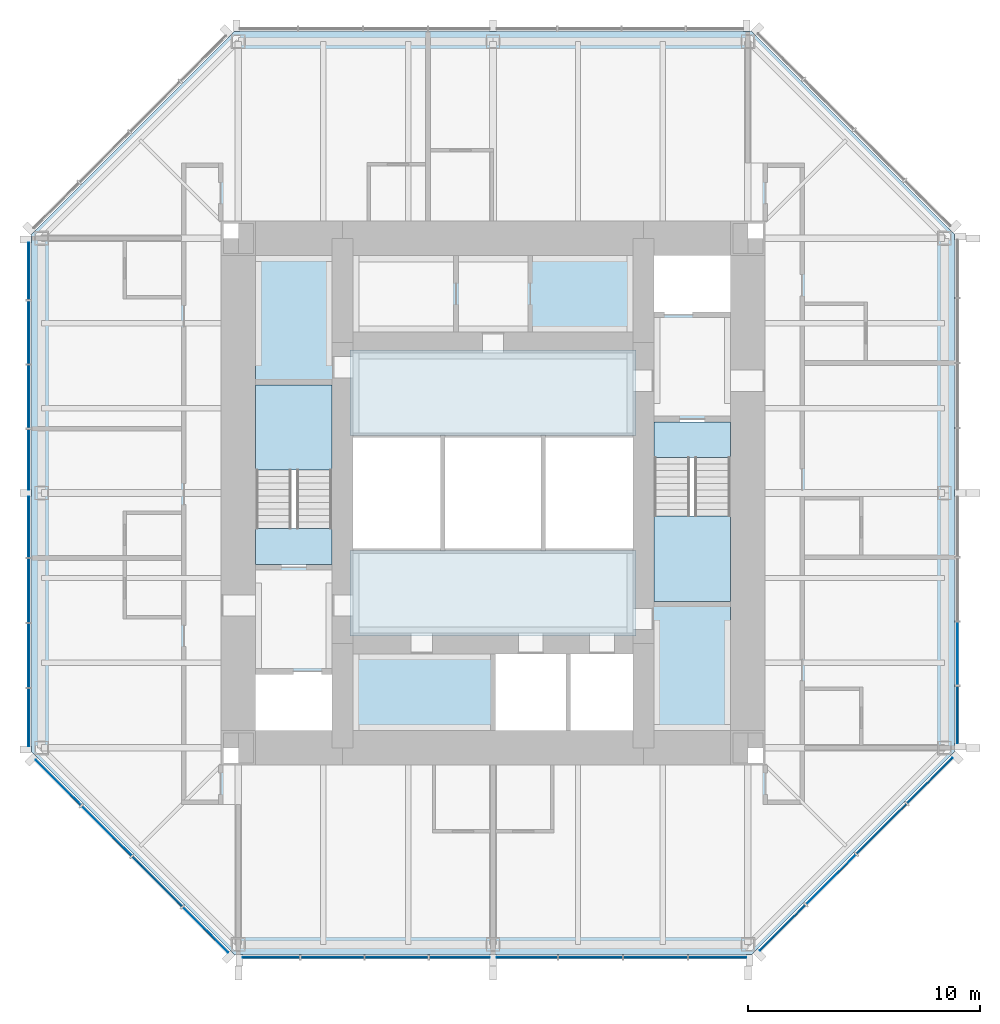
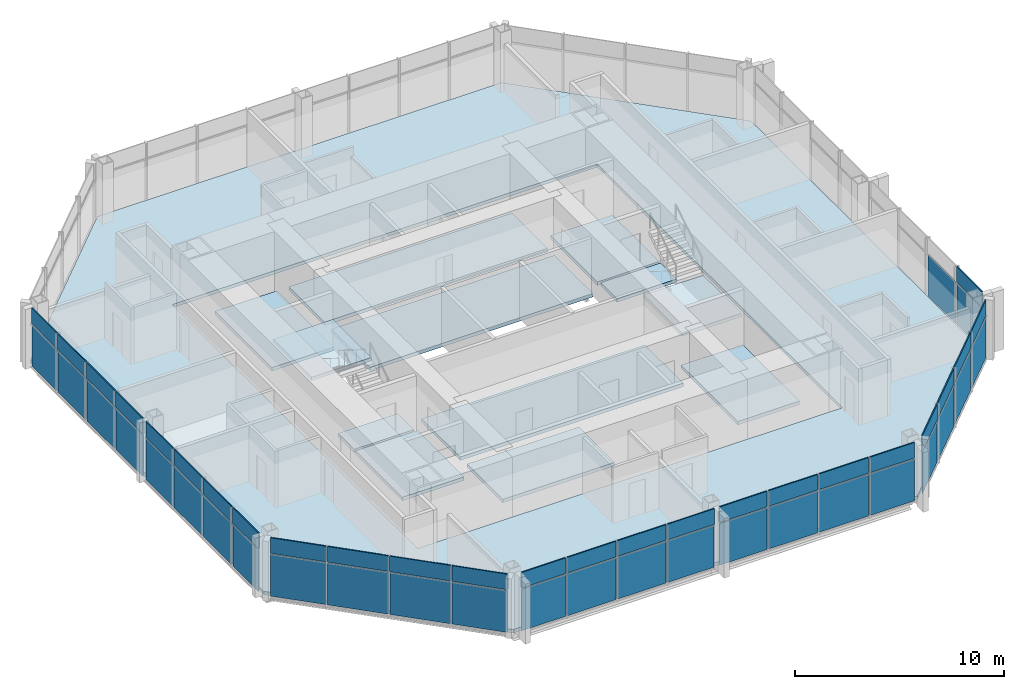
# One storey, part 6 of 11: 51 plates, 13 slabs, 7 elements without a shape of their own.
"""IFC4 building model written with IfcOpenShell, lengths in metres."""

from ifc_helpers import new_model, si_unit, direction, frame, origin, origin_2d, place, context, subcontext, project, spatial, polyline, rectangle, outline, extrude, material, layer, layer_set, type_object, element, aggregate, save


model = new_model("IFC4")

# Units and contexts
model_context = context("Model", 3, precision=1e-05, world=origin(), true_north=direction((0.0, 1.0)))
body_context = subcontext(model_context, "Body", "Model", "MODEL_VIEW")
ifc_project = project(units=[si_unit("LENGTHUNIT", "METRE"), si_unit("AREAUNIT", "SQUARE_METRE"), si_unit("VOLUMEUNIT", "CUBIC_METRE"), si_unit("PLANEANGLEUNIT", "RADIAN"), si_unit("MASSUNIT", "GRAM", prefix="KILO")], contexts=[model_context])

# Site, building, storey
site_placement = place(None, origin())
site = spatial("IfcSite", under=ifc_project, at=site_placement, CompositionType="ELEMENT")
building_placement = place(site_placement, origin())
building = spatial("IfcBuilding", under=site, at=building_placement, Name="Trevanion Tower", CompositionType="ELEMENT")
storey_placement = place(building_placement, frame((0.0, 0.0, 239.699951171875)))
storey = spatial("IfcBuildingStorey", under=building, at=storey_placement, Name="L58", CompositionType="ELEMENT", Elevation=239.699951171875)

# Curtain wall, plate
ifc_material_1 = material(Name="Aluminium and glass", Category="aluminium")
curtain_wall_type = type_object("IfcCurtainWallType", Name="CW3 curtain wall", PredefinedType="USERDEFINED", material=ifc_material_1)
curtain_wall_1_placement = place(storey_placement, origin())
curtain_wall_1 = element("IfcCurtainWall", 1, at=curtain_wall_1_placement, inside=storey, type_object=curtain_wall_type, Name="CW3 L58 0", ObjectType="UNITISED CURTAIN WALL", PredefinedType="USERDEFINED")
ifc_material_2 = material(Name="Aluminium spandrel panel", Category="aluminium")
ifc_layer_1 = layer(ifc_material_2, 0.06005859375)
ifc_layer_set_1 = layer_set([ifc_layer_1], Name="CW3 spandrel panel")
plate_type_1 = type_object("IfcPlateType", Name="CW3 spandrel panel", PredefinedType="CURTAIN_PANEL", material=ifc_layer_set_1)
plate_1_placement = place(storey_placement, frame((20.050048828125, -9.579345703125, 2.3974609375), z_axis=(0.0, 0.0, 1.0), x_axis=(0.0, 1.0, 0.0)))
plate_1 = element("IfcPlate", 2, at=plate_1_placement, type_object=plate_type_1, Name="CW3 panel 1.2", PredefinedType="CURTAIN_PANEL", context=body_context, shape_type="SweptSolid", body=[
    extrude(rectangle(XDim=2.43701171875, YDim=0.06005859375, at=origin_2d()), origin(), (0.0, 0.0, 1.0), 0.91259765625),
])

# Curtain wall, plates
curtain_wall_2_placement = place(storey_placement, origin())
curtain_wall_2 = element("IfcCurtainWall", 3, at=curtain_wall_2_placement, inside=storey, type_object=curtain_wall_type, Name="CW3 L58 4", ObjectType="UNITISED CURTAIN WALL", PredefinedType="USERDEFINED")
plate_2_placement = place(storey_placement, frame((-20.050048828125, 9.579345703125, 2.3974609375), z_axis=(0.0, 0.0, 1.0), x_axis=(0.0, -1.0, 0.0)))
plate_2 = element("IfcPlate", 4, at=plate_2_placement, type_object=plate_type_1, Name="CW3 panel 1.2", PredefinedType="CURTAIN_PANEL", context=body_context, shape_type="SweptSolid", body=[
    extrude(rectangle(XDim=2.43701171875, YDim=0.06005859375, at=origin_2d()), origin(), (0.0, 0.0, 1.0), 0.91259765625),
])
plate_3_placement = place(storey_placement, frame((-20.050048828125, 6.93603515625, 2.3974609375), z_axis=(0.0, 0.0, 1.0), x_axis=(0.0, -1.0, 0.0)))
plate_3 = element("IfcPlate", 5, at=plate_3_placement, type_object=plate_type_1, Name="CW3 panel 2.2", PredefinedType="CURTAIN_PANEL", context=body_context, shape_type="SweptSolid", body=[
    extrude(rectangle(XDim=2.699462890625, YDim=0.06005859375, at=origin_2d()), origin(), (0.0, 0.0, 1.0), 0.91259765625),
])
plate_4_placement = place(storey_placement, frame((-20.050048828125, 4.16162109375, 2.3974609375), z_axis=(0.0, 0.0, 1.0), x_axis=(0.0, -1.0, 0.0)))
plate_4 = element("IfcPlate", 6, at=plate_4_placement, type_object=plate_type_1, Name="CW3 panel 3.2", PredefinedType="CURTAIN_PANEL", context=body_context, shape_type="SweptSolid", body=[
    extrude(rectangle(XDim=2.699462890625, YDim=0.06005859375, at=origin_2d()), origin(), (0.0, 0.0, 1.0), 0.91259765625),
])
plate_5_placement = place(storey_placement, frame((-20.050048828125, 1.443603515625, 2.3974609375), z_axis=(0.0, 0.0, 1.0), x_axis=(0.0, -1.0, 0.0)))
plate_5 = element("IfcPlate", 7, at=plate_5_placement, type_object=plate_type_1, Name="CW3 panel 4.2", PredefinedType="CURTAIN_PANEL", context=body_context, shape_type="SweptSolid", body=[
    extrude(rectangle(XDim=2.5869140625, YDim=0.06005859375, at=origin_2d()), origin(), (0.0, 0.0, 1.0), 0.91259765625),
])
plate_6_placement = place(storey_placement, frame((-20.050048828125, -1.459716796875, 2.3974609375), z_axis=(0.0, 0.0, 1.0), x_axis=(0.0, -1.0, 0.0)))
plate_6 = element("IfcPlate", 8, at=plate_6_placement, type_object=plate_type_1, Name="CW3 panel 5.2", PredefinedType="CURTAIN_PANEL", context=body_context, shape_type="SweptSolid", body=[
    extrude(rectangle(XDim=2.619384765625, YDim=0.06005859375, at=origin_2d()), origin(), (0.0, 0.0, 1.0), 0.91259765625),
])
plate_7_placement = place(storey_placement, frame((-20.050048828125, -4.21044921875, 2.3974609375), z_axis=(0.0, 0.0, 1.0), x_axis=(0.0, -1.0, 0.0)))
plate_7 = element("IfcPlate", 9, at=plate_7_placement, type_object=plate_type_1, Name="CW3 panel 6.2", PredefinedType="CURTAIN_PANEL", context=body_context, shape_type="SweptSolid", body=[
    extrude(rectangle(XDim=2.73193359375, YDim=0.06005859375, at=origin_2d()), origin(), (0.0, 0.0, 1.0), 0.91259765625),
])
plate_8_placement = place(storey_placement, frame((-20.050048828125, -7.017333984375, 2.3974609375), z_axis=(0.0, 0.0, 1.0), x_axis=(0.0, -1.0, 0.0)))
plate_8 = element("IfcPlate", 10, at=plate_8_placement, type_object=plate_type_1, Name="CW3 panel 7.2", PredefinedType="CURTAIN_PANEL", context=body_context, shape_type="SweptSolid", body=[
    extrude(rectangle(XDim=2.73193359375, YDim=0.06005859375, at=origin_2d()), origin(), (0.0, 0.0, 1.0), 0.91259765625),
])
plate_9_placement = place(storey_placement, frame((-20.050048828125, -9.693115234375, 2.3974609375), z_axis=(0.0, 0.0, 1.0), x_axis=(0.0, -1.0, 0.0)))
plate_9 = element("IfcPlate", 11, at=plate_9_placement, type_object=plate_type_1, Name="CW3 panel 8.2", PredefinedType="CURTAIN_PANEL", context=body_context, shape_type="SweptSolid", body=[
    extrude(rectangle(XDim=2.469482421875, YDim=0.06005859375, at=origin_2d()), origin(), (0.0, 0.0, 1.0), 0.91259765625),
])

curtain_wall_3_placement = place(storey_placement, origin())
curtain_wall_3 = element("IfcCurtainWall", 12, at=curtain_wall_3_placement, inside=storey, type_object=curtain_wall_type, Name="CW3 L58 5", ObjectType="UNITISED CURTAIN WALL", PredefinedType="USERDEFINED")
plate_10_placement = place(storey_placement, frame((-18.77392578125, -12.50390625, 2.3974609375), z_axis=(0.0, 0.0, 1.0), x_axis=(0.707106781187, -0.707106781187, 0.0)))
plate_10 = element("IfcPlate", 13, at=plate_10_placement, type_object=plate_type_1, Name="CW3 panel 1.2", PredefinedType="CURTAIN_PANEL", context=body_context, shape_type="SweptSolid", body=[
    extrude(rectangle(XDim=2.7490234375, YDim=0.06005859375, at=origin_2d()), origin(), (0.0, 0.0, 1.0), 0.91259765625),
])
plate_11_placement = place(storey_placement, frame((-16.68408203125, -14.593505859375, 2.3974609375), z_axis=(0.0, 0.0, 1.0), x_axis=(0.707106781187, -0.707106781187, 0.0)))
plate_11 = element("IfcPlate", 14, at=plate_11_placement, type_object=plate_type_1, Name="CW3 panel 2.2", PredefinedType="CURTAIN_PANEL", context=body_context, shape_type="SweptSolid", body=[
    extrude(rectangle(XDim=3.01171875, YDim=0.06005859375, at=origin_2d()), origin(), (0.0, 0.0, 1.0), 0.91259765625),
])
plate_12_placement = place(storey_placement, frame((-14.501708984375, -16.776123046875, 2.3974609375), z_axis=(0.0, 0.0, 1.0), x_axis=(0.707106781187, -0.707106781187, 0.0)))
plate_12 = element("IfcPlate", 15, at=plate_12_placement, type_object=plate_type_1, Name="CW3 panel 3.2", PredefinedType="CURTAIN_PANEL", context=body_context, shape_type="SweptSolid", body=[
    extrude(rectangle(XDim=3.01171875, YDim=0.06005859375, at=origin_2d()), origin(), (0.0, 0.0, 1.0), 0.91259765625),
])
plate_13_placement = place(storey_placement, frame((-12.411865234375, -18.865966796875, 2.3974609375), z_axis=(0.0, 0.0, 1.0), x_axis=(0.707106781187, -0.707106781187, 0.0)))
plate_13 = element("IfcPlate", 16, at=plate_13_placement, type_object=plate_type_1, Name="CW3 panel 4.2", PredefinedType="CURTAIN_PANEL", context=body_context, shape_type="SweptSolid", body=[
    extrude(rectangle(XDim=2.7490234375, YDim=0.06005859375, at=origin_2d()), origin(), (0.0, 0.0, 1.0), 0.91259765625),
])

curtain_wall_4_placement = place(storey_placement, origin())
curtain_wall_4 = element("IfcCurtainWall", 17, at=curtain_wall_4_placement, inside=storey, type_object=curtain_wall_type, Name="CW3 L58 6", ObjectType="UNITISED CURTAIN WALL", PredefinedType="USERDEFINED")
plate_14_placement = place(storey_placement, frame((-9.579345703125, -20.050048828125, 2.3974609375), z_axis=(0.0, 0.0, 1.0), x_axis=(1.0, 0.0, 0.0)))
plate_14 = element("IfcPlate", 18, at=plate_14_placement, type_object=plate_type_1, Name="CW3 panel 1.2", PredefinedType="CURTAIN_PANEL", context=body_context, shape_type="SweptSolid", body=[
    extrude(rectangle(XDim=2.43701171875, YDim=0.06005859375, at=origin_2d()), origin(), (0.0, 0.0, 1.0), 0.91259765625),
])
plate_15_placement = place(storey_placement, frame((-6.93603515625, -20.050048828125, 2.3974609375), z_axis=(0.0, 0.0, 1.0), x_axis=(1.0, 0.0, 0.0)))
plate_15 = element("IfcPlate", 19, at=plate_15_placement, type_object=plate_type_1, Name="CW3 panel 2.2", PredefinedType="CURTAIN_PANEL", context=body_context, shape_type="SweptSolid", body=[
    extrude(rectangle(XDim=2.699462890625, YDim=0.06005859375, at=origin_2d()), origin(), (0.0, 0.0, 1.0), 0.91259765625),
])
plate_16_placement = place(storey_placement, frame((-4.16162109375, -20.050048828125, 2.3974609375), z_axis=(0.0, 0.0, 1.0), x_axis=(1.0, 0.0, 0.0)))
plate_16 = element("IfcPlate", 20, at=plate_16_placement, type_object=plate_type_1, Name="CW3 panel 3.2", PredefinedType="CURTAIN_PANEL", context=body_context, shape_type="SweptSolid", body=[
    extrude(rectangle(XDim=2.699462890625, YDim=0.06005859375, at=origin_2d()), origin(), (0.0, 0.0, 1.0), 0.91259765625),
])
plate_17_placement = place(storey_placement, frame((-1.443603515625, -20.050048828125, 2.3974609375), z_axis=(0.0, 0.0, 1.0), x_axis=(1.0, 0.0, 0.0)))
plate_17 = element("IfcPlate", 21, at=plate_17_placement, type_object=plate_type_1, Name="CW3 panel 4.2", PredefinedType="CURTAIN_PANEL", context=body_context, shape_type="SweptSolid", body=[
    extrude(rectangle(XDim=2.5869140625, YDim=0.06005859375, at=origin_2d()), origin(), (0.0, 0.0, 1.0), 0.91259765625),
])
plate_18_placement = place(storey_placement, frame((1.459716796875, -20.050048828125, 2.3974609375), z_axis=(0.0, 0.0, 1.0), x_axis=(1.0, 0.0, 0.0)))
plate_18 = element("IfcPlate", 22, at=plate_18_placement, type_object=plate_type_1, Name="CW3 panel 5.2", PredefinedType="CURTAIN_PANEL", context=body_context, shape_type="SweptSolid", body=[
    extrude(rectangle(XDim=2.619384765625, YDim=0.06005859375, at=origin_2d()), origin(), (0.0, 0.0, 1.0), 0.91259765625),
])
plate_19_placement = place(storey_placement, frame((4.21044921875, -20.050048828125, 2.3974609375), z_axis=(0.0, 0.0, 1.0), x_axis=(1.0, 0.0, 0.0)))
plate_19 = element("IfcPlate", 23, at=plate_19_placement, type_object=plate_type_1, Name="CW3 panel 6.2", PredefinedType="CURTAIN_PANEL", context=body_context, shape_type="SweptSolid", body=[
    extrude(rectangle(XDim=2.73193359375, YDim=0.06005859375, at=origin_2d()), origin(), (0.0, 0.0, 1.0), 0.91259765625),
])
plate_20_placement = place(storey_placement, frame((7.017333984375, -20.050048828125, 2.3974609375), z_axis=(0.0, 0.0, 1.0), x_axis=(1.0, 0.0, 0.0)))
plate_20 = element("IfcPlate", 24, at=plate_20_placement, type_object=plate_type_1, Name="CW3 panel 7.2", PredefinedType="CURTAIN_PANEL", context=body_context, shape_type="SweptSolid", body=[
    extrude(rectangle(XDim=2.73193359375, YDim=0.06005859375, at=origin_2d()), origin(), (0.0, 0.0, 1.0), 0.91259765625),
])
plate_21_placement = place(storey_placement, frame((9.693115234375, -20.050048828125, 2.3974609375), z_axis=(0.0, 0.0, 1.0), x_axis=(1.0, 0.0, 0.0)))
plate_21 = element("IfcPlate", 25, at=plate_21_placement, type_object=plate_type_1, Name="CW3 panel 8.2", PredefinedType="CURTAIN_PANEL", context=body_context, shape_type="SweptSolid", body=[
    extrude(rectangle(XDim=2.469482421875, YDim=0.06005859375, at=origin_2d()), origin(), (0.0, 0.0, 1.0), 0.91259765625),
])

curtain_wall_5_placement = place(storey_placement, origin())
curtain_wall_5 = element("IfcCurtainWall", 26, at=curtain_wall_5_placement, inside=storey, type_object=curtain_wall_type, Name="CW3 L58 7", ObjectType="UNITISED CURTAIN WALL", PredefinedType="USERDEFINED")
plate_22_placement = place(storey_placement, frame((12.50390625, -18.77392578125, 2.3974609375), z_axis=(0.0, 0.0, 1.0), x_axis=(0.707106781187, 0.707106781187, 0.0)))
plate_22 = element("IfcPlate", 27, at=plate_22_placement, type_object=plate_type_1, Name="CW3 panel 1.2", PredefinedType="CURTAIN_PANEL", context=body_context, shape_type="SweptSolid", body=[
    extrude(rectangle(XDim=2.7490234375, YDim=0.06005859375, at=origin_2d()), origin(), (0.0, 0.0, 1.0), 0.91259765625),
])
plate_23_placement = place(storey_placement, frame((14.593505859375, -16.68408203125, 2.3974609375), z_axis=(0.0, 0.0, 1.0), x_axis=(0.707106781187, 0.707106781187, 0.0)))
plate_23 = element("IfcPlate", 28, at=plate_23_placement, type_object=plate_type_1, Name="CW3 panel 2.2", PredefinedType="CURTAIN_PANEL", context=body_context, shape_type="SweptSolid", body=[
    extrude(rectangle(XDim=3.01171875, YDim=0.06005859375, at=origin_2d()), origin(), (0.0, 0.0, 1.0), 0.91259765625),
])
plate_24_placement = place(storey_placement, frame((16.776123046875, -14.501708984375, 2.3974609375), z_axis=(0.0, 0.0, 1.0), x_axis=(0.707106781187, 0.707106781187, 0.0)))
plate_24 = element("IfcPlate", 29, at=plate_24_placement, type_object=plate_type_1, Name="CW3 panel 3.2", PredefinedType="CURTAIN_PANEL", context=body_context, shape_type="SweptSolid", body=[
    extrude(rectangle(XDim=3.01171875, YDim=0.06005859375, at=origin_2d()), origin(), (0.0, 0.0, 1.0), 0.91259765625),
])
plate_25_placement = place(storey_placement, frame((18.865966796875, -12.411865234375, 2.3974609375), z_axis=(0.0, 0.0, 1.0), x_axis=(0.707106781187, 0.707106781187, 0.0)))
plate_25 = element("IfcPlate", 30, at=plate_25_placement, type_object=plate_type_1, Name="CW3 panel 4.2", PredefinedType="CURTAIN_PANEL", context=body_context, shape_type="SweptSolid", body=[
    extrude(rectangle(XDim=2.7490234375, YDim=0.06005859375, at=origin_2d()), origin(), (0.0, 0.0, 1.0), 0.91259765625),
])

# Plate
ifc_material_3 = material(Name="Insulating glass unit", Category="glass")
ifc_layer_2 = layer(ifc_material_3, 0.028076171875)
ifc_layer_set_2 = layer_set([ifc_layer_2], Name="CW3 vision panel")
plate_type_2 = type_object("IfcPlateType", Name="CW3 vision panel", PredefinedType="CURTAIN_PANEL", material=ifc_layer_set_2)
plate_26_placement = place(storey_placement, frame((20.050048828125, -9.579345703125, -0.114990234375), z_axis=(0.0, 0.0, 1.0), x_axis=(0.0, 1.0, 0.0)))
plate_26 = element("IfcPlate", 31, at=plate_26_placement, type_object=plate_type_2, Name="CW3 panel 1.1", PredefinedType="CURTAIN_PANEL", context=body_context, shape_type="SweptSolid", body=[
    extrude(rectangle(XDim=2.43701171875, YDim=0.028076171875, at=origin_2d()), origin(), (0.0, 0.0, 1.0), 2.4375),
])

plate_27_placement = place(storey_placement, frame((20.050048828125, -6.93603515625, -0.114990234375), z_axis=(0.0, 0.0, 1.0), x_axis=(0.0, 1.0, 0.0)))
plate_27 = element("IfcPlate", 32, at=plate_27_placement, type_object=plate_type_2, Name="CW3 panel 2.1", PredefinedType="CURTAIN_PANEL", context=body_context, shape_type="SweptSolid", body=[
    extrude(rectangle(XDim=2.699462890625, YDim=0.028076171875, at=origin_2d()), origin(), (0.0, 0.0, 1.0), 2.4375),
])

aggregate(curtain_wall_1, [plate_26, plate_1, plate_27])

plate_28_placement = place(storey_placement, frame((-20.050048828125, 9.579345703125, -0.114990234375), z_axis=(0.0, 0.0, 1.0), x_axis=(0.0, -1.0, 0.0)))
plate_28 = element("IfcPlate", 33, at=plate_28_placement, type_object=plate_type_2, Name="CW3 panel 1.1", PredefinedType="CURTAIN_PANEL", context=body_context, shape_type="SweptSolid", body=[
    extrude(rectangle(XDim=2.43701171875, YDim=0.028076171875, at=origin_2d()), origin(), (0.0, 0.0, 1.0), 2.4375),
])

plate_29_placement = place(storey_placement, frame((-20.050048828125, 6.93603515625, -0.114990234375), z_axis=(0.0, 0.0, 1.0), x_axis=(0.0, -1.0, 0.0)))
plate_29 = element("IfcPlate", 34, at=plate_29_placement, type_object=plate_type_2, Name="CW3 panel 2.1", PredefinedType="CURTAIN_PANEL", context=body_context, shape_type="SweptSolid", body=[
    extrude(rectangle(XDim=2.699462890625, YDim=0.028076171875, at=origin_2d()), origin(), (0.0, 0.0, 1.0), 2.4375),
])

plate_30_placement = place(storey_placement, frame((-20.050048828125, 4.16162109375, -0.114990234375), z_axis=(0.0, 0.0, 1.0), x_axis=(0.0, -1.0, 0.0)))
plate_30 = element("IfcPlate", 35, at=plate_30_placement, type_object=plate_type_2, Name="CW3 panel 3.1", PredefinedType="CURTAIN_PANEL", context=body_context, shape_type="SweptSolid", body=[
    extrude(rectangle(XDim=2.699462890625, YDim=0.028076171875, at=origin_2d()), origin(), (0.0, 0.0, 1.0), 2.4375),
])

plate_31_placement = place(storey_placement, frame((-20.050048828125, 1.443603515625, -0.114990234375), z_axis=(0.0, 0.0, 1.0), x_axis=(0.0, -1.0, 0.0)))
plate_31 = element("IfcPlate", 36, at=plate_31_placement, type_object=plate_type_2, Name="CW3 panel 4.1", PredefinedType="CURTAIN_PANEL", context=body_context, shape_type="SweptSolid", body=[
    extrude(rectangle(XDim=2.5869140625, YDim=0.028076171875, at=origin_2d()), origin(), (0.0, 0.0, 1.0), 2.4375),
])

plate_32_placement = place(storey_placement, frame((-20.050048828125, -1.459716796875, -0.114990234375), z_axis=(0.0, 0.0, 1.0), x_axis=(0.0, -1.0, 0.0)))
plate_32 = element("IfcPlate", 37, at=plate_32_placement, type_object=plate_type_2, Name="CW3 panel 5.1", PredefinedType="CURTAIN_PANEL", context=body_context, shape_type="SweptSolid", body=[
    extrude(rectangle(XDim=2.619384765625, YDim=0.028076171875, at=origin_2d()), origin(), (0.0, 0.0, 1.0), 2.4375),
])

plate_33_placement = place(storey_placement, frame((-20.050048828125, -4.21044921875, -0.114990234375), z_axis=(0.0, 0.0, 1.0), x_axis=(0.0, -1.0, 0.0)))
plate_33 = element("IfcPlate", 38, at=plate_33_placement, type_object=plate_type_2, Name="CW3 panel 6.1", PredefinedType="CURTAIN_PANEL", context=body_context, shape_type="SweptSolid", body=[
    extrude(rectangle(XDim=2.73193359375, YDim=0.028076171875, at=origin_2d()), origin(), (0.0, 0.0, 1.0), 2.4375),
])

plate_34_placement = place(storey_placement, frame((-20.050048828125, -7.017333984375, -0.114990234375), z_axis=(0.0, 0.0, 1.0), x_axis=(0.0, -1.0, 0.0)))
plate_34 = element("IfcPlate", 39, at=plate_34_placement, type_object=plate_type_2, Name="CW3 panel 7.1", PredefinedType="CURTAIN_PANEL", context=body_context, shape_type="SweptSolid", body=[
    extrude(rectangle(XDim=2.73193359375, YDim=0.028076171875, at=origin_2d()), origin(), (0.0, 0.0, 1.0), 2.4375),
])

plate_35_placement = place(storey_placement, frame((-20.050048828125, -9.693115234375, -0.114990234375), z_axis=(0.0, 0.0, 1.0), x_axis=(0.0, -1.0, 0.0)))
plate_35 = element("IfcPlate", 40, at=plate_35_placement, type_object=plate_type_2, Name="CW3 panel 8.1", PredefinedType="CURTAIN_PANEL", context=body_context, shape_type="SweptSolid", body=[
    extrude(rectangle(XDim=2.469482421875, YDim=0.028076171875, at=origin_2d()), origin(), (0.0, 0.0, 1.0), 2.4375),
])

aggregate(curtain_wall_2, [plate_28, plate_2, plate_29, plate_3, plate_30, plate_4, plate_31, plate_5, plate_32, plate_6, plate_33, plate_7, plate_34, plate_8, plate_35, plate_9])

plate_36_placement = place(storey_placement, frame((-18.77392578125, -12.50390625, -0.114990234375), z_axis=(0.0, 0.0, 1.0), x_axis=(0.707106781187, -0.707106781187, 0.0)))
plate_36 = element("IfcPlate", 41, at=plate_36_placement, type_object=plate_type_2, Name="CW3 panel 1.1", PredefinedType="CURTAIN_PANEL", context=body_context, shape_type="SweptSolid", body=[
    extrude(rectangle(XDim=2.7490234375, YDim=0.028076171875, at=origin_2d()), origin(), (0.0, 0.0, 1.0), 2.4375),
])

plate_37_placement = place(storey_placement, frame((-16.68408203125, -14.593505859375, -0.114990234375), z_axis=(0.0, 0.0, 1.0), x_axis=(0.707106781187, -0.707106781187, 0.0)))
plate_37 = element("IfcPlate", 42, at=plate_37_placement, type_object=plate_type_2, Name="CW3 panel 2.1", PredefinedType="CURTAIN_PANEL", context=body_context, shape_type="SweptSolid", body=[
    extrude(rectangle(XDim=3.01171875, YDim=0.028076171875, at=origin_2d()), origin(), (0.0, 0.0, 1.0), 2.4375),
])

plate_38_placement = place(storey_placement, frame((-14.501708984375, -16.776123046875, -0.114990234375), z_axis=(0.0, 0.0, 1.0), x_axis=(0.707106781187, -0.707106781187, 0.0)))
plate_38 = element("IfcPlate", 43, at=plate_38_placement, type_object=plate_type_2, Name="CW3 panel 3.1", PredefinedType="CURTAIN_PANEL", context=body_context, shape_type="SweptSolid", body=[
    extrude(rectangle(XDim=3.01171875, YDim=0.028076171875, at=origin_2d()), origin(), (0.0, 0.0, 1.0), 2.4375),
])

plate_39_placement = place(storey_placement, frame((-12.411865234375, -18.865966796875, -0.114990234375), z_axis=(0.0, 0.0, 1.0), x_axis=(0.707106781187, -0.707106781187, 0.0)))
plate_39 = element("IfcPlate", 44, at=plate_39_placement, type_object=plate_type_2, Name="CW3 panel 4.1", PredefinedType="CURTAIN_PANEL", context=body_context, shape_type="SweptSolid", body=[
    extrude(rectangle(XDim=2.7490234375, YDim=0.028076171875, at=origin_2d()), origin(), (0.0, 0.0, 1.0), 2.4375),
])

aggregate(curtain_wall_3, [plate_36, plate_10, plate_37, plate_11, plate_38, plate_12, plate_39, plate_13])

plate_40_placement = place(storey_placement, frame((-9.579345703125, -20.050048828125, -0.114990234375), z_axis=(0.0, 0.0, 1.0), x_axis=(1.0, 0.0, 0.0)))
plate_40 = element("IfcPlate", 45, at=plate_40_placement, type_object=plate_type_2, Name="CW3 panel 1.1", PredefinedType="CURTAIN_PANEL", context=body_context, shape_type="SweptSolid", body=[
    extrude(rectangle(XDim=2.43701171875, YDim=0.028076171875, at=origin_2d()), origin(), (0.0, 0.0, 1.0), 2.4375),
])

plate_41_placement = place(storey_placement, frame((-6.93603515625, -20.050048828125, -0.114990234375), z_axis=(0.0, 0.0, 1.0), x_axis=(1.0, 0.0, 0.0)))
plate_41 = element("IfcPlate", 46, at=plate_41_placement, type_object=plate_type_2, Name="CW3 panel 2.1", PredefinedType="CURTAIN_PANEL", context=body_context, shape_type="SweptSolid", body=[
    extrude(rectangle(XDim=2.699462890625, YDim=0.028076171875, at=origin_2d()), origin(), (0.0, 0.0, 1.0), 2.4375),
])

plate_42_placement = place(storey_placement, frame((-4.16162109375, -20.050048828125, -0.114990234375), z_axis=(0.0, 0.0, 1.0), x_axis=(1.0, 0.0, 0.0)))
plate_42 = element("IfcPlate", 47, at=plate_42_placement, type_object=plate_type_2, Name="CW3 panel 3.1", PredefinedType="CURTAIN_PANEL", context=body_context, shape_type="SweptSolid", body=[
    extrude(rectangle(XDim=2.699462890625, YDim=0.028076171875, at=origin_2d()), origin(), (0.0, 0.0, 1.0), 2.4375),
])

plate_43_placement = place(storey_placement, frame((-1.443603515625, -20.050048828125, -0.114990234375), z_axis=(0.0, 0.0, 1.0), x_axis=(1.0, 0.0, 0.0)))
plate_43 = element("IfcPlate", 48, at=plate_43_placement, type_object=plate_type_2, Name="CW3 panel 4.1", PredefinedType="CURTAIN_PANEL", context=body_context, shape_type="SweptSolid", body=[
    extrude(rectangle(XDim=2.5869140625, YDim=0.028076171875, at=origin_2d()), origin(), (0.0, 0.0, 1.0), 2.4375),
])

plate_44_placement = place(storey_placement, frame((1.459716796875, -20.050048828125, -0.114990234375), z_axis=(0.0, 0.0, 1.0), x_axis=(1.0, 0.0, 0.0)))
plate_44 = element("IfcPlate", 49, at=plate_44_placement, type_object=plate_type_2, Name="CW3 panel 5.1", PredefinedType="CURTAIN_PANEL", context=body_context, shape_type="SweptSolid", body=[
    extrude(rectangle(XDim=2.619384765625, YDim=0.028076171875, at=origin_2d()), origin(), (0.0, 0.0, 1.0), 2.4375),
])

plate_45_placement = place(storey_placement, frame((4.21044921875, -20.050048828125, -0.114990234375), z_axis=(0.0, 0.0, 1.0), x_axis=(1.0, 0.0, 0.0)))
plate_45 = element("IfcPlate", 50, at=plate_45_placement, type_object=plate_type_2, Name="CW3 panel 6.1", PredefinedType="CURTAIN_PANEL", context=body_context, shape_type="SweptSolid", body=[
    extrude(rectangle(XDim=2.73193359375, YDim=0.028076171875, at=origin_2d()), origin(), (0.0, 0.0, 1.0), 2.4375),
])

plate_46_placement = place(storey_placement, frame((7.017333984375, -20.050048828125, -0.114990234375), z_axis=(0.0, 0.0, 1.0), x_axis=(1.0, 0.0, 0.0)))
plate_46 = element("IfcPlate", 51, at=plate_46_placement, type_object=plate_type_2, Name="CW3 panel 7.1", PredefinedType="CURTAIN_PANEL", context=body_context, shape_type="SweptSolid", body=[
    extrude(rectangle(XDim=2.73193359375, YDim=0.028076171875, at=origin_2d()), origin(), (0.0, 0.0, 1.0), 2.4375),
])

plate_47_placement = place(storey_placement, frame((9.693115234375, -20.050048828125, -0.114990234375), z_axis=(0.0, 0.0, 1.0), x_axis=(1.0, 0.0, 0.0)))
plate_47 = element("IfcPlate", 52, at=plate_47_placement, type_object=plate_type_2, Name="CW3 panel 8.1", PredefinedType="CURTAIN_PANEL", context=body_context, shape_type="SweptSolid", body=[
    extrude(rectangle(XDim=2.469482421875, YDim=0.028076171875, at=origin_2d()), origin(), (0.0, 0.0, 1.0), 2.4375),
])

aggregate(curtain_wall_4, [plate_40, plate_14, plate_41, plate_15, plate_42, plate_16, plate_43, plate_17, plate_44, plate_18, plate_45, plate_19, plate_46, plate_20, plate_47, plate_21])

plate_48_placement = place(storey_placement, frame((12.50390625, -18.77392578125, -0.114990234375), z_axis=(0.0, 0.0, 1.0), x_axis=(0.707106781187, 0.707106781187, 0.0)))
plate_48 = element("IfcPlate", 53, at=plate_48_placement, type_object=plate_type_2, Name="CW3 panel 1.1", PredefinedType="CURTAIN_PANEL", context=body_context, shape_type="SweptSolid", body=[
    extrude(rectangle(XDim=2.7490234375, YDim=0.028076171875, at=origin_2d()), origin(), (0.0, 0.0, 1.0), 2.4375),
])

plate_49_placement = place(storey_placement, frame((14.593505859375, -16.68408203125, -0.114990234375), z_axis=(0.0, 0.0, 1.0), x_axis=(0.707106781187, 0.707106781187, 0.0)))
plate_49 = element("IfcPlate", 54, at=plate_49_placement, type_object=plate_type_2, Name="CW3 panel 2.1", PredefinedType="CURTAIN_PANEL", context=body_context, shape_type="SweptSolid", body=[
    extrude(rectangle(XDim=3.01171875, YDim=0.028076171875, at=origin_2d()), origin(), (0.0, 0.0, 1.0), 2.4375),
])

plate_50_placement = place(storey_placement, frame((16.776123046875, -14.501708984375, -0.114990234375), z_axis=(0.0, 0.0, 1.0), x_axis=(0.707106781187, 0.707106781187, 0.0)))
plate_50 = element("IfcPlate", 55, at=plate_50_placement, type_object=plate_type_2, Name="CW3 panel 3.1", PredefinedType="CURTAIN_PANEL", context=body_context, shape_type="SweptSolid", body=[
    extrude(rectangle(XDim=3.01171875, YDim=0.028076171875, at=origin_2d()), origin(), (0.0, 0.0, 1.0), 2.4375),
])

plate_51_placement = place(storey_placement, frame((18.865966796875, -12.411865234375, -0.114990234375), z_axis=(0.0, 0.0, 1.0), x_axis=(0.707106781187, 0.707106781187, 0.0)))
plate_51 = element("IfcPlate", 56, at=plate_51_placement, type_object=plate_type_2, Name="CW3 panel 4.1", PredefinedType="CURTAIN_PANEL", context=body_context, shape_type="SweptSolid", body=[
    extrude(rectangle(XDim=2.7490234375, YDim=0.028076171875, at=origin_2d()), origin(), (0.0, 0.0, 1.0), 2.4375),
])

aggregate(curtain_wall_5, [plate_48, plate_22, plate_49, plate_23, plate_50, plate_24, plate_51, plate_25])

# Slabs
ifc_material_4 = material(Name="Concrete 5,000 psi on composite metal deck", Category="concrete")
ifc_layer_3 = layer(ifc_material_4, 0.18994140625)
ifc_layer_set_3 = layer_set([ifc_layer_3], Name="SL1 composite floor 190")
slab_type_1 = type_object("IfcSlabType", Name="SL1 composite floor 190", PredefinedType="FLOOR", material=ifc_layer_set_3)
slab_1_placement = place(storey_placement, frame((0.0, 0.0, -0.18994140625)))
element("IfcSlab", 57, at=slab_1_placement, inside=storey, type_object=slab_type_1, Name="SL1 L58 floor", PredefinedType="FLOOR", context=body_context, shape_type="SweptSolid", body=[
    extrude(outline(polyline([(19.919921875, -11.174072265625), (19.919921875, 11.174072265625), (11.174072265625, 19.919921875), (-11.174072265625, 19.919921875), (-19.919921875, 11.174072265625), (-19.919921875, -11.174072265625), (-11.174072265625, -19.919921875), (11.174072265625, -19.919921875), (19.919921875, -11.174072265625)]), holes=[polyline([(11.75, -11.75), (11.75, 11.75), (-11.75, 11.75), (-11.75, -11.75), (11.75, -11.75)])]), origin(), (0.0, 0.0, 1.0), 0.18994140625),
])
ifc_material_5 = material(Name="Concrete 5,000 psi", Category="concrete")
ifc_layer_4 = layer(ifc_material_5, 0.199951171875)
ifc_layer_set_4 = layer_set([ifc_layer_4], Name="SL2 core floor 200")
slab_type_2 = type_object("IfcSlabType", Name="SL2 core floor 200", PredefinedType="FLOOR", material=ifc_layer_set_4)
slab_2_placement = place(storey_placement, frame((0.0, 0.0, -0.199951171875)))
element("IfcSlab", 58, at=slab_2_placement, inside=storey, type_object=slab_type_2, Name="SL2 L58 core floor 1", PredefinedType="FLOOR", context=body_context, shape_type="SweptSolid", body=[
    extrude(outline(polyline([(0.02001953125, -10.25), (-6.169921875, -10.25), (-6.169921875, -6.830078125), (0.02001953125, -6.830078125), (0.02001953125, -10.25)])), origin(), (0.0, 0.0, 1.0), 0.199951171875),
])
slab_3_placement = place(storey_placement, frame((0.0, 0.0, -0.199951171875)))
element("IfcSlab", 59, at=slab_3_placement, inside=storey, type_object=slab_type_2, Name="SL2 L58 core floor 2", PredefinedType="FLOOR", context=body_context, shape_type="SweptSolid", body=[
    extrude(outline(polyline([(6.830078125, -4.804931640625), (10.25, -4.804931640625), (10.25, -10.25), (6.830078125, -10.25), (6.830078125, -4.804931640625)])), origin(), (0.0, 0.0, 1.0), 0.199951171875),
])
slab_4_placement = place(storey_placement, frame((0.0, 0.0, -0.199951171875)))
element("IfcSlab", 60, at=slab_4_placement, inside=storey, type_object=slab_type_2, Name="SL2 L58 core floor 3", PredefinedType="FLOOR", context=body_context, shape_type="SweptSolid", body=[
    extrude(outline(polyline([(-6.830078125, -3.205078125), (-6.830078125, -7.695068359375), (-10.25, -7.695068359375), (-10.25, -3.205078125), (-6.830078125, -3.205078125)])), origin(), (0.0, 0.0, 1.0), 0.199951171875),
])
slab_5_placement = place(storey_placement, frame((0.0, 0.0, -0.199951171875)))
element("IfcSlab", 61, at=slab_5_placement, inside=storey, type_object=slab_type_2, Name="SL2 L58 core floor 4", PredefinedType="FLOOR", context=body_context, shape_type="SweptSolid", body=[
    extrude(outline(polyline([(6.169921875, -6.169921875), (-6.169921875, -6.169921875), (-6.169921875, -2.47998046875), (6.169921875, -2.47998046875), (6.169921875, -6.169921875)])), origin(), (0.0, 0.0, 1.0), 0.199951171875),
])
slab_6_placement = place(storey_placement, frame((0.0, 0.0, -0.199951171875)))
element("IfcSlab", 62, at=slab_6_placement, inside=storey, type_object=slab_type_2, Name="SL2 L58 core floor 5", PredefinedType="FLOOR", context=body_context, shape_type="SweptSolid", body=[
    extrude(outline(polyline([(6.169921875, 2.47998046875), (-6.169921875, 2.47998046875), (-6.169921875, 6.169921875), (6.169921875, 6.169921875), (6.169921875, 2.47998046875)])), origin(), (0.0, 0.0, 1.0), 0.199951171875),
])
slab_7_placement = place(storey_placement, frame((0.0, 0.0, -0.199951171875)))
element("IfcSlab", 63, at=slab_7_placement, inside=storey, type_object=slab_type_2, Name="SL2 L58 core floor 6", PredefinedType="FLOOR", context=body_context, shape_type="SweptSolid", body=[
    extrude(outline(polyline([(6.830078125, 3.205078125), (6.830078125, 7.695068359375), (10.25, 7.695068359375), (10.25, 3.205078125), (6.830078125, 3.205078125)])), origin(), (0.0, 0.0, 1.0), 0.199951171875),
])
slab_8_placement = place(storey_placement, frame((0.0, 0.0, -0.199951171875)))
element("IfcSlab", 64, at=slab_8_placement, inside=storey, type_object=slab_type_2, Name="SL2 L58 core floor 7", PredefinedType="FLOOR", context=body_context, shape_type="SweptSolid", body=[
    extrude(outline(polyline([(-6.830078125, 4.804931640625), (-10.25, 4.804931640625), (-10.25, 10.25), (-6.830078125, 10.25), (-6.830078125, 4.804931640625)])), origin(), (0.0, 0.0, 1.0), 0.199951171875),
])
slab_9_placement = place(storey_placement, frame((0.0, 0.0, -0.199951171875)))
element("IfcSlab", 65, at=slab_9_placement, inside=storey, type_object=slab_type_2, Name="SL2 L58 core floor 8", PredefinedType="FLOOR", context=body_context, shape_type="SweptSolid", body=[
    extrude(outline(polyline([(6.169921875, 6.830078125), (-6.169921875, 6.830078125), (-6.169921875, 10.25), (6.169921875, 10.25), (6.169921875, 6.830078125)])), origin(), (0.0, 0.0, 1.0), 0.199951171875),
])

# Stair, slabs
ifc_material_6 = material(Name="Concrete 5,000 psi on steel stringers", Category="concrete")
stair_type = type_object("IfcStairType", Name="ST stair", PredefinedType="HALF_TURN_STAIR", material=ifc_material_6)
stair_1_placement = place(storey_placement, origin())
stair_1 = element("IfcStair", 66, at=stair_1_placement, inside=storey, type_object=stair_type, Name="ST1 L58", PredefinedType="HALF_TURN_STAIR")
ifc_material_7 = material(Name="Concrete 5,000 psi in steel pan", Category="concrete")
ifc_layer_5 = layer(ifc_material_7, 0.199951171875)
ifc_layer_set_5 = layer_set([ifc_layer_5], Name="STL stair landing 200")
slab_type_3 = type_object("IfcSlabType", Name="STL stair landing 200", PredefinedType="LANDING", material=ifc_layer_set_5)
slab_10_placement = place(storey_placement, frame((0.0, 0.0, -0.199951171875)))
slab_10 = element("IfcSlab", 67, at=slab_10_placement, type_object=slab_type_3, Name="ST1 landing 1", PredefinedType="LANDING", context=body_context, shape_type="SweptSolid", body=[
    extrude(outline(polyline([(6.949951171875, 1.52490234375), (10.25, 1.52490234375), (10.25, 3.074951171875), (6.949951171875, 3.074951171875), (6.949951171875, 1.52490234375)])), origin(), (0.0, 0.0, 1.0), 0.199951171875),
])
slab_11_placement = place(storey_placement, frame((0.0, 0.0, 1.550048828125)))
slab_11 = element("IfcSlab", 68, at=slab_11_placement, type_object=slab_type_3, Name="ST1 landing 2", PredefinedType="LANDING", context=body_context, shape_type="SweptSolid", body=[
    extrude(outline(polyline([(6.949951171875, -4.675048828125), (10.25, -4.675048828125), (10.25, -0.9951171875), (6.949951171875, -0.9951171875), (6.949951171875, -4.675048828125)])), origin(), (0.0, 0.0, 1.0), 0.199951171875),
])
aggregate(stair_1, [slab_10, slab_11])

stair_2_placement = place(storey_placement, origin())
stair_2 = element("IfcStair", 69, at=stair_2_placement, inside=storey, type_object=stair_type, Name="ST2 L58", PredefinedType="HALF_TURN_STAIR")
slab_12_placement = place(storey_placement, frame((0.0, 0.0, -0.199951171875)))
slab_12 = element("IfcSlab", 70, at=slab_12_placement, type_object=slab_type_3, Name="ST2 landing 1", PredefinedType="LANDING", context=body_context, shape_type="SweptSolid", body=[
    extrude(outline(polyline([(-6.949951171875, -1.52490234375), (-10.25, -1.52490234375), (-10.25, -3.074951171875), (-6.949951171875, -3.074951171875), (-6.949951171875, -1.52490234375)])), origin(), (0.0, 0.0, 1.0), 0.199951171875),
])
slab_13_placement = place(storey_placement, frame((0.0, 0.0, 1.550048828125)))
slab_13 = element("IfcSlab", 71, at=slab_13_placement, type_object=slab_type_3, Name="ST2 landing 2", PredefinedType="LANDING", context=body_context, shape_type="SweptSolid", body=[
    extrude(outline(polyline([(-6.949951171875, 4.675048828125), (-10.25, 4.675048828125), (-10.25, 0.9951171875), (-6.949951171875, 0.9951171875), (-6.949951171875, 4.675048828125)])), origin(), (0.0, 0.0, 1.0), 0.199951171875),
])
aggregate(stair_2, [slab_12, slab_13])

save(model, "model.ifc")
